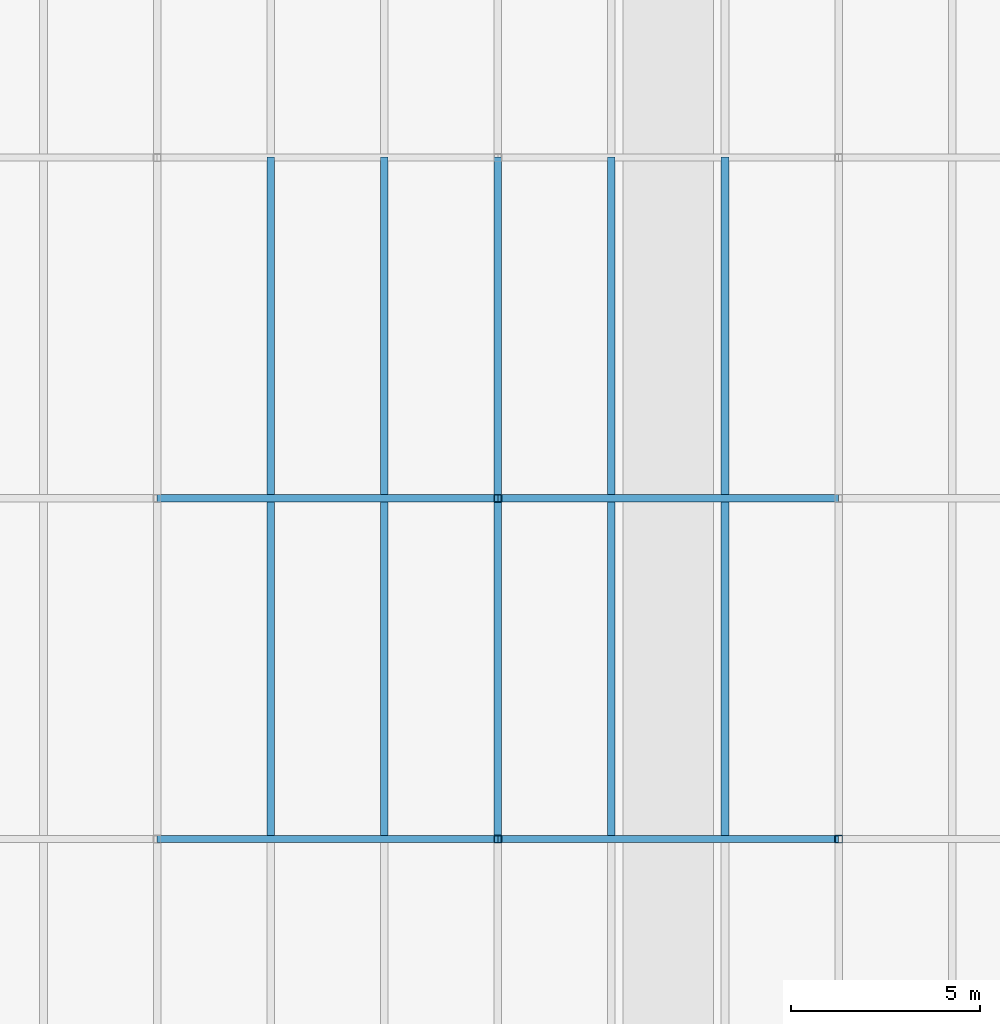
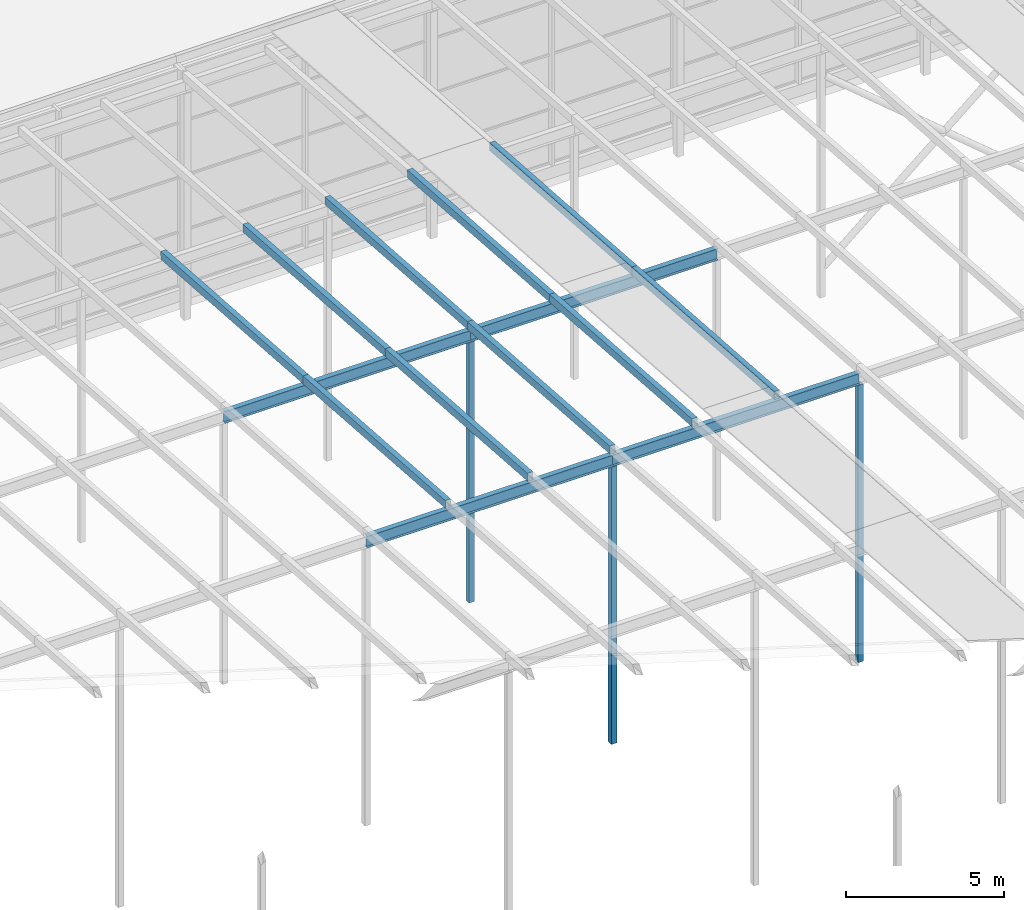
# One storey, part 33 of 84: 13 members, 4 beams.
"""IFC4 building model written with IfcOpenShell, lengths in metres."""

from ifc_helpers import new_model, si_unit, direction, frame, origin, origin_2d, place, context, subcontext, project, spatial, hollow_rectangle, i_section, extrude, material, material_profile, profile_set, type_object, element, save


model = new_model("IFC4")

# Units and contexts
model_context = context("Model", 3, precision=1e-05, world=origin(), true_north=direction((0.0, 1.0)))
body_context = subcontext(model_context, "Body", "Model", "MODEL_VIEW")
ifc_project = project(units=[si_unit("LENGTHUNIT", "METRE"), si_unit("AREAUNIT", "SQUARE_METRE"), si_unit("VOLUMEUNIT", "CUBIC_METRE"), si_unit("PLANEANGLEUNIT", "RADIAN"), si_unit("MASSUNIT", "GRAM", prefix="KILO")], contexts=[model_context])

# Site, building, storey
site_placement = place(None, origin())
site = spatial("IfcSite", under=ifc_project, at=site_placement, CompositionType="ELEMENT")
building_placement = place(site_placement, origin())
building = spatial("IfcBuilding", under=site, at=building_placement, Name="Silverbay Arena", CompositionType="ELEMENT")
storey_placement = place(building_placement, frame((0.0, 0.0, 47.10009765625)))
storey = spatial("IfcBuildingStorey", under=building, at=storey_placement, Name="ROOF", CompositionType="ELEMENT", Elevation=47.10009765625)

# Members
ifc_material_1 = material(Name="Steel S355", Category="steel")
ifc_material_profile_1 = material_profile(ifc_material_1, hollow_rectangle(XDim=0.199951171875, YDim=0.300048828125, WallThickness=0.00634765625, at=origin_2d()), Name="RHS 300x200x6.3")
ifc_profile_set_1 = profile_set([ifc_material_profile_1], Name="Steel S355")
member_type_1 = type_object("IfcMemberType", Name="Purlin RHS 300x200x6.3", PredefinedType="PURLIN", material=ifc_profile_set_1)
for number, where, z_axis, x_axis, name in (
    (1, (102.0, 108.0, 10.699462890625), (0.0, 0.997402911363, -0.072023832195), (-1.0, 0.0, 0.0), "ROOF PURLIN crown line 08 bay 10"),
    (2, (102.0, 117.0, 10.049560546875), (0.0, 0.997400967367, -0.07205074805), (-1.0, 0.0, 0.0), "ROOF PURLIN crown line 08 bay 11"),
    (3, (105.0, 108.0, 10.699462890625), (0.0, 0.997402911363, -0.072023832195), (-1.0, 0.0, 0.0), "ROOF PURLIN crown line 09 bay 10"),
    (4, (105.0, 117.0, 10.049560546875), (0.0, 0.997400967367, -0.07205074805), (-1.0, 0.0, 0.0), "ROOF PURLIN crown line 09 bay 11"),
    (5, (108.0, 108.0, 10.699462890625), (0.0, 0.997402911363, -0.072023832195), (-1.0, 0.0, 0.0), "ROOF PURLIN crown line 10 bay 10"),
    (6, (108.0, 117.0, 10.049560546875), (0.0, 0.997400967367, -0.07205074805), (-1.0, 0.0, 0.0), "ROOF PURLIN crown line 10 bay 11"),
    (7, (111.0, 108.0, 10.699462890625), (0.0, 0.997402911363, -0.072023832195), (-1.0, 0.0, 0.0), "ROOF PURLIN crown line 11 bay 10"),
    (8, (111.0, 117.0, 10.049560546875), (0.0, 0.997400967367, -0.07205074805), (-1.0, 0.0, 0.0), "ROOF PURLIN crown line 11 bay 11"),
    (9, (114.0, 108.0, 10.699462890625), (0.0, 0.997402911363, -0.072023832195), (-1.0, 0.0, 0.0), "ROOF PURLIN crown line 12 bay 10"),
    (10, (114.0, 117.0, 10.049560546875), (0.0, 0.997400967367, -0.07205074805), (-1.0, 0.0, 0.0), "ROOF PURLIN crown line 12 bay 11"),
):
    element("IfcMember", number, at=place(storey_placement, frame(where, z_axis=z_axis, x_axis=x_axis)), inside=storey, type_object=member_type_1, Name=name, PredefinedType="PURLIN", context=body_context, shape_type="SweptSolid", body=[
        extrude(hollow_rectangle(XDim=0.199951171875, YDim=0.300048828125, WallThickness=0.00634765625, at=origin_2d()), origin(), (0.0, 0.0, 1.0), 9.0234375),
    ])

# Beams
ifc_material_2 = material(Name="Steel S355", Category="steel")
ifc_material_profile_2 = material_profile(ifc_material_2, i_section(OverallWidth=0.18994140625, OverallDepth=0.453369140625, WebThickness=0.008544921875, FlangeThickness=0.0126953125, at=origin_2d()), Name="UB 457x191x67")
ifc_profile_set_2 = profile_set([ifc_material_profile_2], Name="Steel S355")
beam_type = type_object("IfcBeamType", Name="Ring beam UB 457x191x67", PredefinedType="BEAM", material=ifc_profile_set_2)
for number, where, z_axis, x_axis, name in (
    (11, (99.0, 108.0, 10.322509765625), (1.0, 0.0, 0.0), (0.0, 1.0, 0.0), "RING BEAM crown row 10 12-13"),
    (12, (108.0, 108.0, 10.322509765625), (1.0, 0.0, 0.0), (0.0, 1.0, 0.0), "RING BEAM crown row 10 13-14"),
    (13, (99.0, 117.0, 9.67236328125), (1.0, 0.0, 0.0), (0.0, 1.0, 0.0), "RING BEAM crown row 11 12-13"),
    (14, (108.0, 117.0, 9.67236328125), (1.0, 0.0, 0.0), (0.0, 1.0, 0.0), "RING BEAM crown row 11 13-14"),
):
    element("IfcBeam", number, at=place(storey_placement, frame(where, z_axis=z_axis, x_axis=x_axis)), inside=storey, type_object=beam_type, Name=name, PredefinedType="BEAM", context=body_context, shape_type="SweptSolid", body=[
        extrude(i_section(OverallWidth=0.18994140625, OverallDepth=0.453369140625, WebThickness=0.008544921875, FlangeThickness=0.0126953125, at=origin_2d()), origin(), (0.0, 0.0, 1.0), 9.0),
    ])

# Members
ifc_material_3 = material(Name="Steel S355", Category="steel")
ifc_material_profile_3 = material_profile(ifc_material_3, hollow_rectangle(XDim=0.199951171875, YDim=0.199951171875, WallThickness=0.008056640625, at=origin_2d()), Name="SHS 200x200x8")
ifc_profile_set_3 = profile_set([ifc_material_profile_3], Name="Steel S355")
member_type_2 = type_object("IfcMemberType", Name="Roof post SHS 200x200x8", PredefinedType="POST", material=ifc_profile_set_3)
member_1_placement = place(storey_placement, frame((108.0, 108.0, -0.60009765625), z_axis=(0.0, 0.0, 1.0), x_axis=(1.0, 0.0, 0.0)))
element("IfcMember", 15, at=member_1_placement, inside=storey, type_object=member_type_2, Name="ROOF CROWN POST 13 row 10", PredefinedType="POST", context=body_context, shape_type="SweptSolid", body=[
    extrude(hollow_rectangle(XDim=0.199951171875, YDim=0.199951171875, WallThickness=0.008056640625, at=origin_2d()), origin(), (0.0, 0.0, 1.0), 10.69580078125),
])
member_2_placement = place(storey_placement, frame((108.0, 117.0, -0.60009765625), z_axis=(0.0, 0.0, 1.0), x_axis=(1.0, 0.0, 0.0)))
element("IfcMember", 16, at=member_2_placement, inside=storey, type_object=member_type_2, Name="ROOF CROWN POST 13 row 11", PredefinedType="POST", context=body_context, shape_type="SweptSolid", body=[
    extrude(hollow_rectangle(XDim=0.199951171875, YDim=0.199951171875, WallThickness=0.008056640625, at=origin_2d()), origin(), (0.0, 0.0, 1.0), 10.0458984375),
])
member_3_placement = place(storey_placement, frame((117.0, 108.0, -0.60009765625), z_axis=(0.0, 0.0, 1.0), x_axis=(1.0, 0.0, 0.0)))
element("IfcMember", 17, at=member_3_placement, inside=storey, type_object=member_type_2, Name="ROOF CROWN POST 14 row 10", PredefinedType="POST", context=body_context, shape_type="SweptSolid", body=[
    extrude(hollow_rectangle(XDim=0.199951171875, YDim=0.199951171875, WallThickness=0.008056640625, at=origin_2d()), origin(), (0.0, 0.0, 1.0), 10.69580078125),
])

save(model, "model.ifc")
